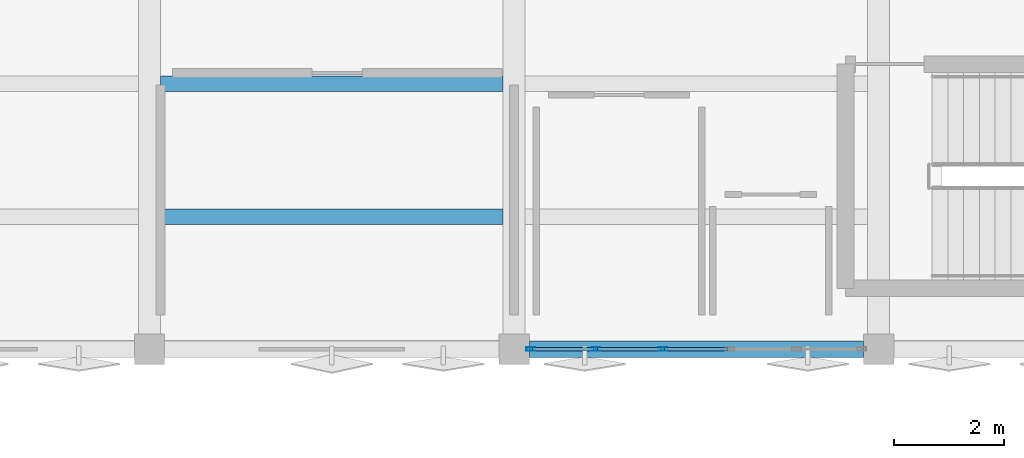
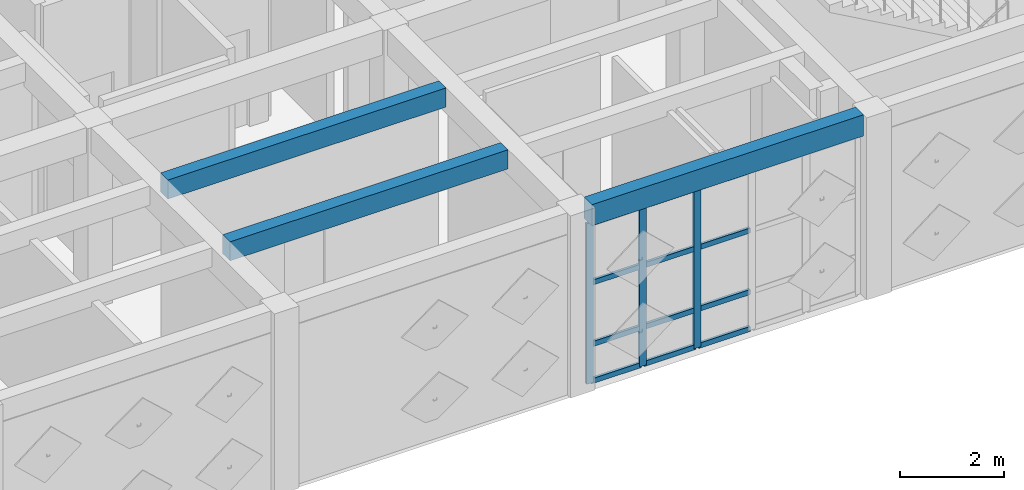
# One storey, part 13 of 39: 15 members, 3 beams, 1 element without a shape of its own.
"""IFC4 building model written with IfcOpenShell, lengths in metres."""

from ifc_helpers import new_model, si_unit, direction, frame, origin, origin_2d, place, context, subcontext, project, spatial, rectangle, hollow_rectangle, extrude, material, layer, layer_set, material_profile, profile_set, type_object, element, aggregate, save


model = new_model("IFC4")

# Units and contexts
model_context = context("Model", 3, precision=1e-05, world=origin(), true_north=direction((0.0, 1.0)))
body_context = subcontext(model_context, "Body", "Model", "MODEL_VIEW")
ifc_project = project(units=[si_unit("LENGTHUNIT", "METRE"), si_unit("AREAUNIT", "SQUARE_METRE"), si_unit("VOLUMEUNIT", "CUBIC_METRE"), si_unit("PLANEANGLEUNIT", "RADIAN"), si_unit("MASSUNIT", "GRAM", prefix="KILO")], contexts=[model_context])

# Site, building, storey
site_placement = place(None, origin())
site = spatial("IfcSite", under=ifc_project, at=site_placement, CompositionType="ELEMENT")
building_placement = place(site_placement, origin())
building = spatial("IfcBuilding", under=site, at=building_placement, Name="Kharisveld Research Institute", CompositionType="ELEMENT")
storey_placement = place(building_placement, frame((0.0, 0.0, 23.10009765625)))
storey = spatial("IfcBuildingStorey", under=building, at=storey_placement, Name="L05", CompositionType="ELEMENT", Elevation=23.10009765625)

# Curtain wall, members
ifc_material_1 = material(Name="Thermally Broken Aluminium Curtain Wall", Category="aluminium")
ifc_layer = layer(ifc_material_1, 0.159912109375)
ifc_layer_set = layer_set([ifc_layer], Name="CW_SYS_01")
curtain_wall_type = type_object("IfcCurtainWallType", Name="CW_SYS_01", PredefinedType="NOTDEFINED", material=ifc_layer_set)
curtain_wall_placement = place(storey_placement, origin())
curtain_wall = element("IfcCurtainWall", 1, at=curtain_wall_placement, inside=storey, type_object=curtain_wall_type, Name="CW:V2:L05:S5", PredefinedType="NOTDEFINED")
ifc_material_2 = material(Name="Anodised Aluminium AW-6063-T6", Category="aluminium")
ifc_material_profile_1 = material_profile(ifc_material_2, hollow_rectangle(XDim=0.06494140625, YDim=0.159912109375, WallThickness=0.00390625, at=origin_2d()))
ifc_profile_set_1 = profile_set([ifc_material_profile_1], Name="Anodised Aluminium AW-6063-T6")
member_type_1 = type_object("IfcMemberType", Name="CW_MUL_160", PredefinedType="MULLION", material=ifc_profile_set_1)
member_1_placement = place(storey_placement, frame((143.694091796875, 39.199951171875, 0.0), z_axis=(0.0, 0.0, 1.0), x_axis=(0.0, -1.0, 0.0)))
member_1 = element("IfcMember", 2, at=member_1_placement, type_object=member_type_1, Name="CW-01 mullion 4", PredefinedType="MULLION", context=body_context, shape_type="SweptSolid", body=[
    extrude(hollow_rectangle(XDim=0.06494140625, YDim=0.159912109375, WallThickness=0.00390625, at=origin_2d()), origin(), (0.0, 0.0, 1.0), 3.77978515625),
])
member_2_placement = place(storey_placement, frame((142.48193359375, 39.199951171875, 0.0), z_axis=(0.0, 0.0, 1.0), x_axis=(0.0, -1.0, 0.0)))
member_2 = element("IfcMember", 3, at=member_2_placement, type_object=member_type_1, Name="CW-01 mullion 5", PredefinedType="MULLION", context=body_context, shape_type="SweptSolid", body=[
    extrude(hollow_rectangle(XDim=0.06494140625, YDim=0.159912109375, WallThickness=0.00390625, at=origin_2d()), origin(), (0.0, 0.0, 1.0), 3.77978515625),
])
member_3_placement = place(storey_placement, frame((141.302490234375, 39.199951171875, 0.0), z_axis=(0.0, 0.0, 1.0), x_axis=(0.0, -1.0, 0.0)))
member_3 = element("IfcMember", 4, at=member_3_placement, type_object=member_type_1, Name="CW-01 mullion 6", PredefinedType="MULLION", context=body_context, shape_type="SweptSolid", body=[
    extrude(hollow_rectangle(XDim=0.06494140625, YDim=0.159912109375, WallThickness=0.00390625, at=origin_2d()), origin(), (0.0, 0.0, 1.0), 3.77978515625),
])
ifc_material_3 = material(Name="Anodised Aluminium AW-6063-T6", Category="aluminium")
ifc_material_profile_2 = material_profile(ifc_material_3, hollow_rectangle(XDim=0.06005859375, YDim=0.1201171875, WallThickness=0.00390625, at=origin_2d()))
ifc_profile_set_2 = profile_set([ifc_material_profile_2], Name="Anodised Aluminium AW-6063-T6")
member_type_2 = type_object("IfcMemberType", Name="CW_TRN_120", PredefinedType="USERDEFINED", material=ifc_profile_set_2)
member_4_placement = place(storey_placement, frame((144.87353515625, 39.199951171875, 0.02978515625), z_axis=(-1.0, 0.0, 0.0), x_axis=(0.0, -1.0, 0.0)))
member_4 = element("IfcMember", 5, at=member_4_placement, type_object=member_type_2, Name="CW-01 transom 3.1", ObjectType="TRANSOM", PredefinedType="USERDEFINED", context=body_context, shape_type="SweptSolid", body=[
    extrude(hollow_rectangle(XDim=0.06005859375, YDim=0.1201171875, WallThickness=0.00390625, at=origin_2d()), origin(), (0.0, 0.0, 1.0), 1.14697265625),
])
member_5_placement = place(storey_placement, frame((144.87353515625, 39.199951171875, 0.89990234375), z_axis=(-1.0, 0.0, 0.0), x_axis=(0.0, -1.0, 0.0)))
member_5 = element("IfcMember", 6, at=member_5_placement, type_object=member_type_2, Name="CW-01 transom 3.2", ObjectType="TRANSOM", PredefinedType="USERDEFINED", context=body_context, shape_type="SweptSolid", body=[
    extrude(hollow_rectangle(XDim=0.06005859375, YDim=0.1201171875, WallThickness=0.00390625, at=origin_2d()), origin(), (0.0, 0.0, 1.0), 1.14697265625),
])
member_6_placement = place(storey_placement, frame((144.87353515625, 39.199951171875, 2.349853515625), z_axis=(-1.0, 0.0, 0.0), x_axis=(0.0, -1.0, 0.0)))
member_6 = element("IfcMember", 7, at=member_6_placement, type_object=member_type_2, Name="CW-01 transom 3.3", ObjectType="TRANSOM", PredefinedType="USERDEFINED", context=body_context, shape_type="SweptSolid", body=[
    extrude(hollow_rectangle(XDim=0.06005859375, YDim=0.1201171875, WallThickness=0.00390625, at=origin_2d()), origin(), (0.0, 0.0, 1.0), 1.14697265625),
])
member_7_placement = place(storey_placement, frame((144.87353515625, 39.199951171875, 3.75), z_axis=(-1.0, 0.0, 0.0), x_axis=(0.0, -1.0, 0.0)))
member_7 = element("IfcMember", 8, at=member_7_placement, type_object=member_type_2, Name="CW-01 transom 3.4", ObjectType="TRANSOM", PredefinedType="USERDEFINED", context=body_context, shape_type="SweptSolid", body=[
    extrude(hollow_rectangle(XDim=0.06005859375, YDim=0.1201171875, WallThickness=0.00390625, at=origin_2d()), origin(), (0.0, 0.0, 1.0), 1.14697265625),
])
member_8_placement = place(storey_placement, frame((143.66162109375, 39.199951171875, 0.02978515625), z_axis=(-1.0, 0.0, 0.0), x_axis=(0.0, -1.0, 0.0)))
member_8 = element("IfcMember", 9, at=member_8_placement, type_object=member_type_2, Name="CW-01 transom 4.1", ObjectType="TRANSOM", PredefinedType="USERDEFINED", context=body_context, shape_type="SweptSolid", body=[
    extrude(hollow_rectangle(XDim=0.06005859375, YDim=0.1201171875, WallThickness=0.00390625, at=origin_2d()), origin(), (0.0, 0.0, 1.0), 1.147216796875),
])
member_9_placement = place(storey_placement, frame((143.66162109375, 39.199951171875, 0.89990234375), z_axis=(-1.0, 0.0, 0.0), x_axis=(0.0, -1.0, 0.0)))
member_9 = element("IfcMember", 10, at=member_9_placement, type_object=member_type_2, Name="CW-01 transom 4.2", ObjectType="TRANSOM", PredefinedType="USERDEFINED", context=body_context, shape_type="SweptSolid", body=[
    extrude(hollow_rectangle(XDim=0.06005859375, YDim=0.1201171875, WallThickness=0.00390625, at=origin_2d()), origin(), (0.0, 0.0, 1.0), 1.147216796875),
])
member_10_placement = place(storey_placement, frame((143.66162109375, 39.199951171875, 2.349853515625), z_axis=(-1.0, 0.0, 0.0), x_axis=(0.0, -1.0, 0.0)))
member_10 = element("IfcMember", 11, at=member_10_placement, type_object=member_type_2, Name="CW-01 transom 4.3", ObjectType="TRANSOM", PredefinedType="USERDEFINED", context=body_context, shape_type="SweptSolid", body=[
    extrude(hollow_rectangle(XDim=0.06005859375, YDim=0.1201171875, WallThickness=0.00390625, at=origin_2d()), origin(), (0.0, 0.0, 1.0), 1.147216796875),
])
member_11_placement = place(storey_placement, frame((143.66162109375, 39.199951171875, 3.75), z_axis=(-1.0, 0.0, 0.0), x_axis=(0.0, -1.0, 0.0)))
member_11 = element("IfcMember", 12, at=member_11_placement, type_object=member_type_2, Name="CW-01 transom 4.4", ObjectType="TRANSOM", PredefinedType="USERDEFINED", context=body_context, shape_type="SweptSolid", body=[
    extrude(hollow_rectangle(XDim=0.06005859375, YDim=0.1201171875, WallThickness=0.00390625, at=origin_2d()), origin(), (0.0, 0.0, 1.0), 1.147216796875),
])
member_12_placement = place(storey_placement, frame((142.449462890625, 39.199951171875, 0.02978515625), z_axis=(-1.0, 0.0, 0.0), x_axis=(0.0, -1.0, 0.0)))
member_12 = element("IfcMember", 13, at=member_12_placement, type_object=member_type_2, Name="CW-01 transom 5.1", ObjectType="TRANSOM", PredefinedType="USERDEFINED", context=body_context, shape_type="SweptSolid", body=[
    extrude(hollow_rectangle(XDim=0.06005859375, YDim=0.1201171875, WallThickness=0.00390625, at=origin_2d()), origin(), (0.0, 0.0, 1.0), 1.114501953125),
])
member_13_placement = place(storey_placement, frame((142.449462890625, 39.199951171875, 0.89990234375), z_axis=(-1.0, 0.0, 0.0), x_axis=(0.0, -1.0, 0.0)))
member_13 = element("IfcMember", 14, at=member_13_placement, type_object=member_type_2, Name="CW-01 transom 5.2", ObjectType="TRANSOM", PredefinedType="USERDEFINED", context=body_context, shape_type="SweptSolid", body=[
    extrude(hollow_rectangle(XDim=0.06005859375, YDim=0.1201171875, WallThickness=0.00390625, at=origin_2d()), origin(), (0.0, 0.0, 1.0), 1.114501953125),
])
member_14_placement = place(storey_placement, frame((142.449462890625, 39.199951171875, 2.349853515625), z_axis=(-1.0, 0.0, 0.0), x_axis=(0.0, -1.0, 0.0)))
member_14 = element("IfcMember", 15, at=member_14_placement, type_object=member_type_2, Name="CW-01 transom 5.3", ObjectType="TRANSOM", PredefinedType="USERDEFINED", context=body_context, shape_type="SweptSolid", body=[
    extrude(hollow_rectangle(XDim=0.06005859375, YDim=0.1201171875, WallThickness=0.00390625, at=origin_2d()), origin(), (0.0, 0.0, 1.0), 1.114501953125),
])
member_15_placement = place(storey_placement, frame((142.449462890625, 39.199951171875, 3.75), z_axis=(-1.0, 0.0, 0.0), x_axis=(0.0, -1.0, 0.0)))
member_15 = element("IfcMember", 16, at=member_15_placement, type_object=member_type_2, Name="CW-01 transom 5.4", ObjectType="TRANSOM", PredefinedType="USERDEFINED", context=body_context, shape_type="SweptSolid", body=[
    extrude(hollow_rectangle(XDim=0.06005859375, YDim=0.1201171875, WallThickness=0.00390625, at=origin_2d()), origin(), (0.0, 0.0, 1.0), 1.114501953125),
])
aggregate(curtain_wall, [member_1, member_2, member_3, member_4, member_5, member_6, member_7, member_8, member_9, member_10, member_11, member_12, member_13, member_14, member_15])

# Beams
ifc_material_4 = material(Name="Concrete C40/50", Category="concrete")
ifc_material_profile_3 = material_profile(ifc_material_4, rectangle(XDim=0.300048828125, YDim=0.5, at=origin_2d()))
ifc_profile_set_3 = profile_set([ifc_material_profile_3], Name="Concrete C40/50")
beam_type_1 = type_object("IfcBeamType", Name="SP_RC_300x500", PredefinedType="SPANDREL", material=ifc_profile_set_3)
beam_placement = place(storey_placement, frame((141.27490234375, 39.199951171875, 4.039794921875), z_axis=(1.0, 0.0, 0.0), x_axis=(0.0, 1.0, 0.0)))
element("IfcBeam", 17, at=beam_placement, inside=storey, type_object=beam_type_1, Name="BM:V2:L05:U4_0", PredefinedType="SPANDREL", context=body_context, shape_type="SweptSolid", body=[
    extrude(rectangle(XDim=0.300048828125, YDim=0.5, at=origin_2d()), origin(), (0.0, 0.0, 1.0), 6.050048828125),
])
ifc_material_5 = material(Name="Concrete C40/50", Category="concrete")
ifc_material_profile_4 = material_profile(ifc_material_5, rectangle(XDim=0.280029296875, YDim=0.449951171875, at=origin_2d()))
ifc_profile_set_4 = profile_set([ifc_material_profile_4], Name="Concrete C40/50")
beam_type_2 = type_object("IfcBeamType", Name="WB_RC_280x450", PredefinedType="JOIST", material=ifc_profile_set_4)
for number, where, z_axis, x_axis, name in (
    (18, (134.60009765625, 41.60009765625, 4.06494140625), (1.0, 0.0, 0.0), (0.0, 1.0, 0.0), "BM:V2:L05:J_3_0_R1"),
    (19, (134.60009765625, 44.0, 4.06494140625), (1.0, 0.0, 0.0), (0.0, 1.0, 0.0), "BM:V2:L05:J_3_0_R2"),
):
    element("IfcBeam", number, at=place(storey_placement, frame(where, z_axis=z_axis, x_axis=x_axis)), inside=storey, type_object=beam_type_2, Name=name, PredefinedType="JOIST", context=body_context, shape_type="SweptSolid", body=[
        extrude(rectangle(XDim=0.280029296875, YDim=0.449951171875, at=origin_2d()), origin(), (0.0, 0.0, 1.0), 6.199951171875),
    ])

save(model, "model.ifc")
